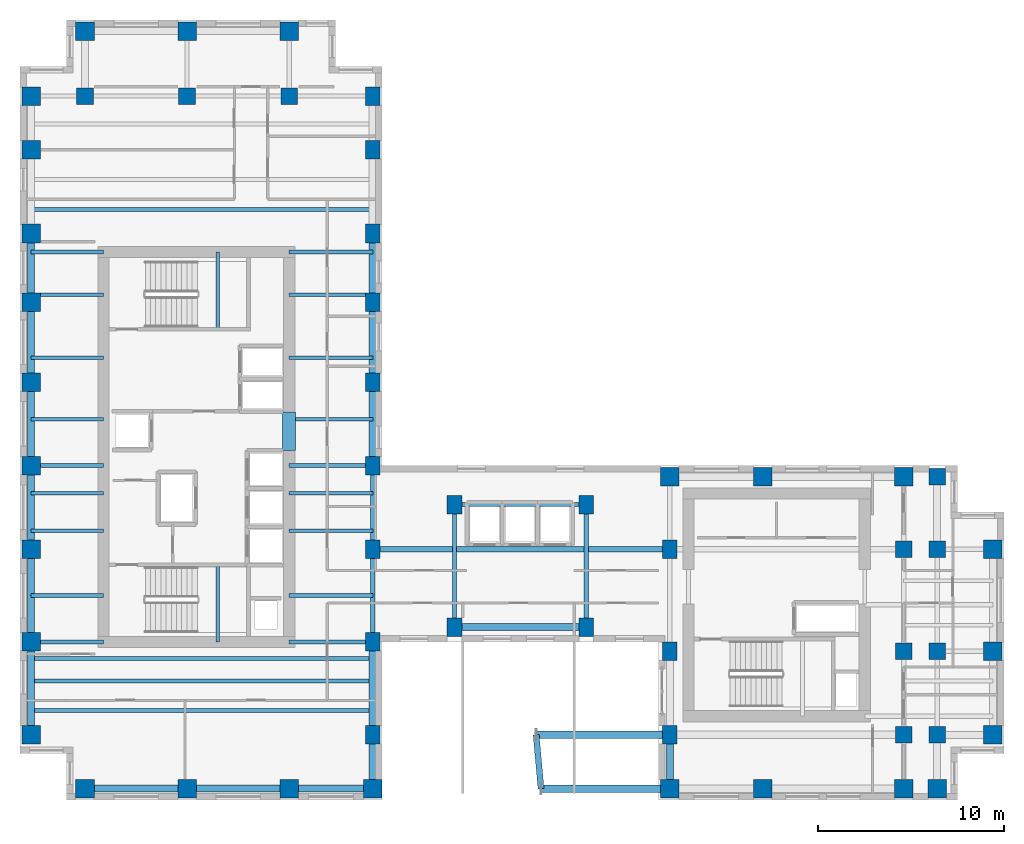
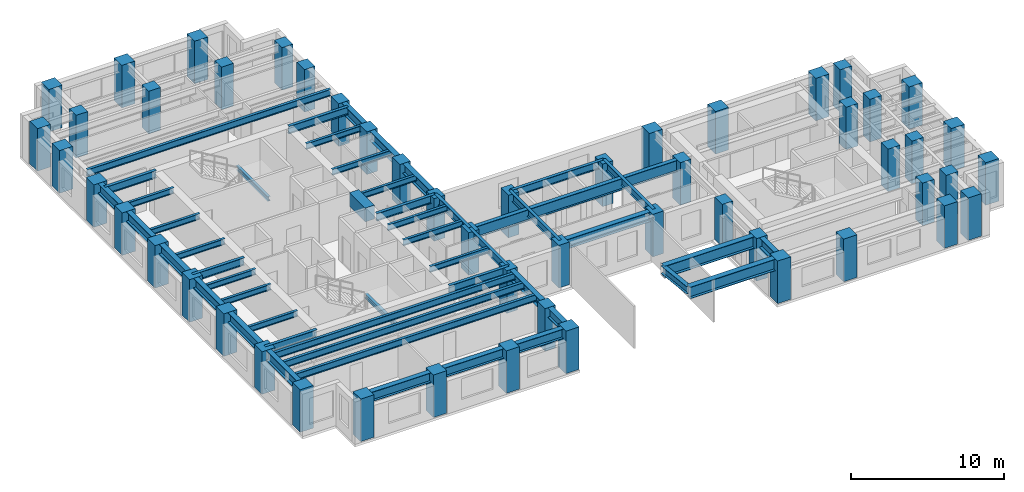
# One storey, part 1 of 13: 52 columns, 50 beams.
"""IFC4 building model written with IfcOpenShell, lengths in metres."""

import ifcopenshell
import ifcopenshell.guid

model = None  # the IFC model being written
_history = None  # IfcOwnerHistory: only IFC2X3 demands one
_inside = {}  # id of a spatial element -> (the spatial element, [elements in it])
_under = {}  # id of a project, library or spatial element -> (it, [spatial elements below it])
_declared = {}  # id of a project -> (the project, [libraries it declares])
_typed = {}  # id of a type object -> (the type object, [elements of that type])
_made_of = {}  # id of a material, layer set ... -> (it, [elements and type objects made of it])


def new_model(schema):
    """Start an empty IFC model of exactly this schema.

    Asked for "IFC4X3", IfcOpenShell would pick the latest addendum, in which some entities
    have other attributes; the version numbers below select the first issue.
    IFC2X3 requires an IfcOwnerHistory on every rooted entity: one is made here for all.
    """
    global model, _history
    if schema == "IFC4X3":
        model = ifcopenshell.file(schema_version=(4, 3, 0, 0))
    else:
        model = ifcopenshell.file(schema=schema)
    _inside.clear()
    _under.clear()
    _declared.clear()
    _typed.clear()
    _made_of.clear()
    _history = None
    if model.schema == "IFC2X3":
        org = make("IfcOrganization", Name="unknown")
        user = make(
            "IfcPersonAndOrganization",
            ThePerson=make("IfcPerson", FamilyName="unknown"),
            TheOrganization=org,
        )
        app = make(
            "IfcApplication",
            ApplicationDeveloper=org,
            Version="unknown",
            ApplicationFullName="unknown",
            ApplicationIdentifier="unknown",
        )
        _history = make(
            "IfcOwnerHistory",
            OwningUser=user,
            OwningApplication=app,
            ChangeAction="ADDED",
            CreationDate=0,
        )
    return model


def make(cls, **values):
    """One entity of the class cls with the attributes given. An attribute that is None is left unset."""
    return model.create_entity(
        cls, **{name: value for name, value in values.items() if value is not None}
    )


def rooted(cls, **values):
    """An entity with a GlobalId (a new one), such as an element, a storey or a relation."""
    return make(cls, GlobalId=ifcopenshell.guid.new(), OwnerHistory=_history, **values)


def si_unit(unit_type, name, prefix=None):
    """IfcSIUnit, for example si_unit("LENGTHUNIT", "METRE", prefix="MILLI")."""
    return make("IfcSIUnit", UnitType=unit_type, Prefix=prefix, Name=name)


def assignment(units):
    """IfcUnitAssignment: the units of a project."""
    return None if units is None else make("IfcUnitAssignment", Units=units)


def point(xyz):
    """IfcCartesianPoint."""
    return None if xyz is None else make("IfcCartesianPoint", Coordinates=xyz)


def direction(xyz):
    """IfcDirection."""
    return None if xyz is None else make("IfcDirection", DirectionRatios=xyz)


def frame(location, z_axis=None, x_axis=None):
    """IfcAxis2Placement3D, a coordinate frame: its origin and axes. An axis left out is left unset."""
    return make(
        "IfcAxis2Placement3D",
        Location=point(location),
        Axis=direction(z_axis),
        RefDirection=direction(x_axis),
    )


def frame_2d(location, x_axis=None):
    """IfcAxis2Placement2D, a coordinate frame in the plane: its origin and x axis."""
    return make(
        "IfcAxis2Placement2D", Location=point(location), RefDirection=direction(x_axis)
    )


def origin():
    """The frame at (0, 0, 0) with its axes left unset."""
    return frame((0.0, 0.0, 0.0))


def origin_2d():
    """The frame at (0, 0) in the plane with its x axis left unset."""
    return frame_2d((0.0, 0.0))


def place(relative_to, where):
    """IfcLocalPlacement: puts the frame where relative to a parent placement (None: the world)."""
    return make(
        "IfcLocalPlacement", PlacementRelTo=relative_to, RelativePlacement=where
    )


def context(
    kind, dimensions, precision=None, world=None, true_north=None, identifier=None
):
    """IfcGeometricRepresentationContext, for example the 3D "Model" context."""
    return make(
        "IfcGeometricRepresentationContext",
        ContextIdentifier=identifier,
        ContextType=kind,
        CoordinateSpaceDimension=dimensions,
        Precision=precision,
        WorldCoordinateSystem=world,
        TrueNorth=true_north,
    )


def subcontext(parent, identifier, kind, view, scale=None):
    """IfcGeometricRepresentationSubContext, for example "Body" below "Model"."""
    return make(
        "IfcGeometricRepresentationSubContext",
        ContextIdentifier=identifier,
        ContextType=kind,
        ParentContext=parent,
        TargetScale=scale,
        TargetView=view,
    )


def project(units=None, contexts=None):
    """IfcProject with its units and contexts."""
    return rooted(
        "IfcProject",
        Name="project",
        RepresentationContexts=contexts,
        UnitsInContext=assignment(units),
    )


def spatial(cls, under=None, at=None, **own):
    """A site, building, storey or space (cls), placed at a placement, below another one or the project."""
    s = rooted(cls, ObjectPlacement=at, **own)
    if under is not None:
        _under.setdefault(under.id(), (under, []))[1].append(s)
    return s


def profile(cls, at=None, kind="AREA", **sizes):
    """A parametric profile (cls). Its sizes go by their IFC names, for example OverallWidth=200.0."""
    return make(cls, ProfileType=kind, Position=at, **sizes)


def rectangle(**sizes):
    """IfcRectangleProfileDef."""
    return profile("IfcRectangleProfileDef", **sizes)


def i_section(**sizes):
    """IfcIShapeProfileDef."""
    return profile("IfcIShapeProfileDef", **sizes)


def extrude(swept, where, along, depth):
    """IfcExtrudedAreaSolid: the profile swept, set in the frame where, extruded along a direction by depth."""
    return make(
        "IfcExtrudedAreaSolid",
        SweptArea=swept,
        Position=where,
        ExtrudedDirection=direction(along),
        Depth=depth,
    )


def shape(context_of_items, identifier, shape_type, items):
    """IfcShapeRepresentation: the items that make up one representation, for example the "Body"."""
    return make(
        "IfcShapeRepresentation",
        ContextOfItems=context_of_items,
        RepresentationIdentifier=identifier,
        RepresentationType=shape_type,
        Items=items,
    )


def source(mapping_origin, context_of_items, identifier, shape_type, items):
    """IfcRepresentationMap: a shape defined once, which mapped items show again and again."""
    return make(
        "IfcRepresentationMap",
        MappingOrigin=mapping_origin,
        MappedRepresentation=shape(context_of_items, identifier, shape_type, items),
    )


def transform(
    local_origin,
    x_axis=None,
    y_axis=None,
    z_axis=None,
    scale=None,
    scale2=None,
    scale3=None,
    uniform=True,
):
    """IfcCartesianTransformationOperator3D, or its non-uniform kind. x_axis, y_axis, z_axis: its Axis1, 2, 3."""
    if uniform:
        return make(
            "IfcCartesianTransformationOperator3D",
            Axis1=direction(x_axis),
            Axis2=direction(y_axis),
            LocalOrigin=point(local_origin),
            Scale=scale,
            Axis3=direction(z_axis),
        )
    return make(
        "IfcCartesianTransformationOperator3DnonUniform",
        Axis1=direction(x_axis),
        Axis2=direction(y_axis),
        LocalOrigin=point(local_origin),
        Scale=scale,
        Axis3=direction(z_axis),
        Scale2=scale2,
        Scale3=scale3,
    )


def mapped(mapping_source, mapping_target):
    """IfcMappedItem: shows the shape of a source again, moved by a transform."""
    return make(
        "IfcMappedItem", MappingSource=mapping_source, MappingTarget=mapping_target
    )


def material(Name=None, Category=None):
    """IfcMaterial."""
    return make("IfcMaterial", Name=Name, Category=Category)


def material_profile(
    of_material, cross_section, Name=None, Category=None, Priority=None
):
    """IfcMaterialProfile: a cross section and its material."""
    return make(
        "IfcMaterialProfile",
        Name=Name,
        Material=of_material,
        Profile=cross_section,
        Priority=Priority,
        Category=Category,
    )


def profile_set(profiles, Name=None, composite=None):
    """IfcMaterialProfileSet."""
    return make(
        "IfcMaterialProfileSet",
        Name=Name,
        MaterialProfiles=profiles,
        CompositeProfile=composite,
    )


def made_of(thing, what):
    """Note that an element or type object is made of a material, layer set ...; save() writes the relation."""
    if what is not None:
        _made_of.setdefault(what.id(), (what, []))[1].append(thing)
    return thing


def type_object(cls, material=None, **own):
    """A type object (cls), such as IfcWallType, which elements share."""
    return made_of(rooted(cls, **own), material)


def element(
    cls,
    number,
    at=None,
    inside=None,
    cuts=None,
    type_object=None,
    material=None,
    context=None,
    identifier="Body",
    shape_type=None,
    held_by="IfcProductDefinitionShape",
    body=None,
    shapes=None,
    **own,
):
    """One element of the class cls, such as IfcWall. Its Tag is "e" and its number.

    at: its placement. inside: the storey or other place that contains it. cuts: it is an
    opening in that element (IfcRelVoidsElement). A single representation is given by context,
    identifier, shape_type and body (its items); several are given by shapes. held_by: the class
    of the entity that holds the representations. save() writes the other relations.
    """
    e = rooted(cls, Tag="e%d" % number, ObjectPlacement=at, **own)
    if body is not None:
        shapes = [shape(context, identifier, shape_type, body)]
    if shapes is not None:
        e.Representation = make(held_by, Representations=shapes)
    if inside is not None:
        _inside.setdefault(inside.id(), (inside, []))[1].append(e)
    if cuts is not None:
        rooted(
            "IfcRelVoidsElement", RelatingBuildingElement=cuts, RelatedOpeningElement=e
        )
    if type_object is not None:
        _typed.setdefault(type_object.id(), (type_object, []))[1].append(e)
    return made_of(e, material)


def aggregate(whole, parts):
    """IfcRelAggregates: a whole, such as a stair, and the parts it consists of."""
    return rooted("IfcRelAggregates", RelatingObject=whole, RelatedObjects=parts)


def save(model, path):
    """Write the relations noted so far, then the file.

    IfcRelAggregates (storeys below a building ...), IfcRelContainedInSpatialStructure (elements
    in a storey), IfcRelDefinesByType, IfcRelAssociatesMaterial and IfcRelDeclares: one each for
    every whole, place, type object, material and project.
    """
    for whole, parts in _under.values():
        aggregate(whole, parts)
    for where, things in _inside.values():
        rooted(
            "IfcRelContainedInSpatialStructure",
            RelatedElements=things,
            RelatingStructure=where,
        )
    for kind, things in _typed.values():
        rooted("IfcRelDefinesByType", RelatedObjects=things, RelatingType=kind)
    for what, things in _made_of.values():
        rooted("IfcRelAssociatesMaterial", RelatedObjects=things, RelatingMaterial=what)
    for by, libraries in _declared.values():
        rooted("IfcRelDeclares", RelatingContext=by, RelatedDefinitions=libraries)
    model.write(path)


model = new_model("IFC4")

# Units and contexts
model_context = context("Model", 3, precision=1e-05, world=origin(), true_north=direction((0.0, 1.0)))
body_context = subcontext(model_context, "Body", "Model", "MODEL_VIEW")
ifc_project = project(units=[si_unit("LENGTHUNIT", "METRE"), si_unit("AREAUNIT", "SQUARE_METRE"), si_unit("VOLUMEUNIT", "CUBIC_METRE"), si_unit("PLANEANGLEUNIT", "RADIAN"), si_unit("MASSUNIT", "GRAM", prefix="KILO")], contexts=[model_context])

# Site, building, storey
site_placement = place(None, origin())
site = spatial("IfcSite", under=ifc_project, at=site_placement, CompositionType="ELEMENT")
building_placement = place(site_placement, origin())
building = spatial("IfcBuilding", under=site, at=building_placement, Name="Kharzan Plaza Tower", CompositionType="ELEMENT")
storey_placement = place(building_placement, frame((0.0, 0.0, 161.10009765625)))
storey = spatial("IfcBuildingStorey", under=building, at=storey_placement, Name="L43", CompositionType="ELEMENT", Elevation=161.10009765625)

# Columns
ifc_material_1 = material(Name="Concrete C50/60", Category="concrete")
ifc_material_profile_1 = material_profile(ifc_material_1, rectangle(XDim=0.89990234375, YDim=0.89990234375, at=origin_2d()), Name="RC-IC900x900")
ifc_profile_set_1 = profile_set([ifc_material_profile_1], Name="Concrete C50/60")
column_type_1 = type_object("IfcColumnType", Name="COL-IC900", PredefinedType="COLUMN", material=ifc_profile_set_1)
shared_shape_1 = source(origin(), body_context, "Body", "SweptSolid", [
    extrude(rectangle(XDim=0.89990234375, YDim=0.89990234375, at=origin_2d()), origin(), (0.0, 0.0, 1.0), 3.39990234375),
])
for number, where, z_axis, x_axis, name in (
    (1, (47.60009765625, 13.5, 0.0), (0.0, 0.0, 1.0), (1.0, 0.0, 0.0), "L43 Structural Column TCBI-135"),
    (2, (47.60009765625, 3.5, 0.0), (0.0, 0.0, 1.0), (1.0, 0.0, 0.0), "L43 Structural Column TCBI-35"),
    (3, (47.60009765625, 8.0, 0.0), (0.0, 0.0, 1.0), (1.0, 0.0, 0.0), "L43 Structural Column TCBI-80"),
    (4, (49.39990234375, 13.5, 0.0), (0.0, 0.0, 1.0), (1.0, 0.0, 0.0), "L43 Structural Column TCE-494-135"),
    (5, (49.39990234375, 17.39990234375, 0.0), (0.0, 0.0, 1.0), (1.0, 0.0, 0.0), "L43 Structural Column TCE-494-174"),
    (6, (49.39990234375, 3.5, 0.0), (0.0, 0.0, 1.0), (1.0, 0.0, 0.0), "L43 Structural Column TCE-494-35"),
    (7, (49.39990234375, 8.0, 0.0), (0.0, 0.0, 1.0), (1.0, 0.0, 0.0), "L43 Structural Column TCE-494-80"),
    (8, (14.5, 37.89990234375, 0.0), (0.0, 0.0, 1.0), (1.0, 0.0, 0.0), "L43 Structural Column TCN-145-379"),
    (9, (3.5, 37.89990234375, 0.0), (0.0, 0.0, 1.0), (1.0, 0.0, 0.0), "L43 Structural Column TCN-35-379"),
    (10, (9.0, 37.89990234375, 0.0), (0.0, 0.0, 1.0), (1.0, 0.0, 0.0), "L43 Structural Column TCN-90-379"),
):
    element("IfcColumn", number, at=place(storey_placement, frame(where, z_axis=z_axis, x_axis=x_axis)), inside=storey, type_object=column_type_1, Name=name, PredefinedType="COLUMN", context=body_context, shape_type="MappedRepresentation", body=[
        mapped(shared_shape_1, transform((0.0, 0.0, 0.0), x_axis=(1.0, 0.0, 0.0), y_axis=(0.0, 1.0, 0.0), z_axis=(0.0, 0.0, 1.0))),
    ])
ifc_material_profile_2 = material_profile(ifc_material_1, rectangle(XDim=0.800048828125, YDim=1.0, at=origin_2d()), Name="RC-SC1000x800")
ifc_profile_set_2 = profile_set([ifc_material_profile_2], Name="Concrete C50/60")
column_type_2 = type_object("IfcColumnType", Name="COL-SC1000", PredefinedType="COLUMN", material=ifc_profile_set_2)
shared_shape_2 = source(origin(), body_context, "Body", "SweptSolid", [
    extrude(rectangle(XDim=0.800048828125, YDim=1.0, at=origin_2d()), origin(), (0.0, 0.0, 1.0), 3.39990234375),
])
for number, where, z_axis, x_axis, name in (
    (11, (19.0, 13.5, 0.0), (0.0, 0.0, 1.0), (1.0, 0.0, 0.0), "L43 Structural Column TCA-135"),
    (12, (19.0, 18.0, 0.0), (0.0, 0.0, 1.0), (1.0, 0.0, 0.0), "L43 Structural Column TCA-180"),
    (13, (19.0, 22.5, 0.0), (0.0, 0.0, 1.0), (1.0, 0.0, 0.0), "L43 Structural Column TCA-225"),
    (14, (19.0, 26.800048828125, 0.0), (0.0, 0.0, 1.0), (1.0, 0.0, 0.0), "L43 Structural Column TCA-268"),
    (15, (19.0, 30.5, 0.0), (0.0, 0.0, 1.0), (1.0, 0.0, 0.0), "L43 Structural Column TCA-305"),
    (16, (19.0, 3.5, 0.0), (0.0, 0.0, 1.0), (1.0, 0.0, 0.0), "L43 Structural Column TCA-35"),
    (17, (19.0, 35.0, 0.0), (0.0, 0.0, 1.0), (1.0, 0.0, 0.0), "L43 Structural Column TCA-350"),
    (18, (19.0, 37.89990234375, 0.0), (0.0, 0.0, 1.0), (1.0, 0.0, 0.0), "L43 Structural Column TCA-379"),
    (19, (19.0, 8.5, 0.0), (0.0, 0.0, 1.0), (1.0, 0.0, 0.0), "L43 Structural Column TCA-85"),
    (20, (35.0, 13.5, 0.0), (0.0, 0.0, 1.0), (1.0, 0.0, 0.0), "L43 Structural Column TCBS-135"),
    (21, (35.0, 3.5, 0.0), (0.0, 0.0, 1.0), (1.0, 0.0, 0.0), "L43 Structural Column TCBS-35"),
    (22, (35.0, 8.0, 0.0), (0.0, 0.0, 1.0), (1.0, 0.0, 0.0), "L43 Structural Column TCBS-80"),
    (23, (23.39990234375, 15.89990234375, 0.0), (0.0, 0.0, 1.0), (1.0, 0.0, 0.0), "L43 Structural Column TCSP-234-159"),
    (24, (23.39990234375, 9.300048828125, 0.0), (0.0, 0.0, 1.0), (1.0, 0.0, 0.0), "L43 Structural Column TCSP-234-93"),
    (25, (30.5, 15.89990234375, 0.0), (0.0, 0.0, 1.0), (1.0, 0.0, 0.0), "L43 Structural Column TCSP-305-159"),
    (26, (30.5, 9.300048828125, 0.0), (0.0, 0.0, 1.0), (1.0, 0.0, 0.0), "L43 Structural Column TCSP-305-93"),
):
    element("IfcColumn", number, at=place(storey_placement, frame(where, z_axis=z_axis, x_axis=x_axis)), inside=storey, type_object=column_type_2, Name=name, PredefinedType="COLUMN", context=body_context, shape_type="MappedRepresentation", body=[
        mapped(shared_shape_2, transform((0.0, 0.0, 0.0), x_axis=(1.0, 0.0, 0.0), y_axis=(0.0, 1.0, 0.0), z_axis=(0.0, 0.0, 1.0))),
    ])
ifc_material_profile_3 = material_profile(ifc_material_1, rectangle(XDim=1.0, YDim=1.0, at=origin_2d()), Name="RC-TC1000x1000")
ifc_profile_set_3 = profile_set([ifc_material_profile_3], Name="Concrete C50/60")
column_type_3 = type_object("IfcColumnType", Name="COL-TC1000", PredefinedType="COLUMN", material=ifc_profile_set_3)
shared_shape_3 = source(origin(), body_context, "Body", "SweptSolid", [
    extrude(rectangle(XDim=1.0, YDim=1.0, at=origin_2d()), origin(), (0.0, 0.0, 1.0), 3.39990234375),
])
for number, where, z_axis, x_axis, name in (
    (27, (35.0, 17.39990234375, 0.0), (0.0, 0.0, 1.0), (1.0, 0.0, 0.0), "L43 Structural Column TCBN-350-174"),
    (28, (40.0, 17.39990234375, 0.0), (0.0, 0.0, 1.0), (1.0, 0.0, 0.0), "L43 Structural Column TCBN-400-174"),
    (29, (47.60009765625, 17.39990234375, 0.0), (0.0, 0.0, 1.0), (1.0, 0.0, 0.0), "L43 Structural Column TCBN-476-174"),
    (30, (52.39990234375, 13.5, 0.0), (0.0, 0.0, 1.0), (1.0, 0.0, 0.0), "L43 Structural Column TCE-524-135"),
    (31, (52.39990234375, 3.5, 0.0), (0.0, 0.0, 1.0), (1.0, 0.0, 0.0), "L43 Structural Column TCE-524-35"),
    (32, (52.39990234375, 8.0, 0.0), (0.0, 0.0, 1.0), (1.0, 0.0, 0.0), "L43 Structural Column TCE-524-80"),
    (33, (14.5, 41.39990234375, 0.0), (0.0, 0.0, 1.0), (1.0, 0.0, 0.0), "L43 Structural Column TCN-145-414"),
    (34, (3.5, 41.39990234375, 0.0), (0.0, 0.0, 1.0), (1.0, 0.0, 0.0), "L43 Structural Column TCN-35-414"),
    (35, (9.0, 41.39990234375, 0.0), (0.0, 0.0, 1.0), (1.0, 0.0, 0.0), "L43 Structural Column TCN-90-414"),
    (36, (14.5, 0.60009765625, 0.0), (0.0, 0.0, 1.0), (1.0, 0.0, 0.0), "L43 Structural Column TCS-145"),
    (37, (19.0, 0.60009765625, 0.0), (0.0, 0.0, 1.0), (1.0, 0.0, 0.0), "L43 Structural Column TCS-190"),
    (38, (3.5, 0.60009765625, 0.0), (0.0, 0.0, 1.0), (1.0, 0.0, 0.0), "L43 Structural Column TCS-35"),
    (39, (35.0, 0.60009765625, 0.0), (0.0, 0.0, 1.0), (1.0, 0.0, 0.0), "L43 Structural Column TCS-350"),
    (40, (40.0, 0.60009765625, 0.0), (0.0, 0.0, 1.0), (1.0, 0.0, 0.0), "L43 Structural Column TCS-400"),
    (41, (47.60009765625, 0.60009765625, 0.0), (0.0, 0.0, 1.0), (1.0, 0.0, 0.0), "L43 Structural Column TCS-476"),
    (42, (49.39990234375, 0.60009765625, 0.0), (0.0, 0.0, 1.0), (1.0, 0.0, 0.0), "L43 Structural Column TCS-494"),
    (43, (9.0, 0.60009765625, 0.0), (0.0, 0.0, 1.0), (1.0, 0.0, 0.0), "L43 Structural Column TCS-90"),
    (44, (0.60009765625, 13.5, 0.0), (0.0, 0.0, 1.0), (1.0, 0.0, 0.0), "L43 Structural Column TCW-135"),
    (45, (0.60009765625, 18.0, 0.0), (0.0, 0.0, 1.0), (1.0, 0.0, 0.0), "L43 Structural Column TCW-180"),
    (46, (0.60009765625, 22.5, 0.0), (0.0, 0.0, 1.0), (1.0, 0.0, 0.0), "L43 Structural Column TCW-225"),
    (47, (0.60009765625, 26.800048828125, 0.0), (0.0, 0.0, 1.0), (1.0, 0.0, 0.0), "L43 Structural Column TCW-268"),
    (48, (0.60009765625, 30.5, 0.0), (0.0, 0.0, 1.0), (1.0, 0.0, 0.0), "L43 Structural Column TCW-305"),
    (49, (0.60009765625, 3.5, 0.0), (0.0, 0.0, 1.0), (1.0, 0.0, 0.0), "L43 Structural Column TCW-35"),
    (50, (0.60009765625, 35.0, 0.0), (0.0, 0.0, 1.0), (1.0, 0.0, 0.0), "L43 Structural Column TCW-350"),
    (51, (0.60009765625, 37.89990234375, 0.0), (0.0, 0.0, 1.0), (1.0, 0.0, 0.0), "L43 Structural Column TCW-379"),
    (52, (0.60009765625, 8.5, 0.0), (0.0, 0.0, 1.0), (1.0, 0.0, 0.0), "L43 Structural Column TCW-85"),
):
    element("IfcColumn", number, at=place(storey_placement, frame(where, z_axis=z_axis, x_axis=x_axis)), inside=storey, type_object=column_type_3, Name=name, PredefinedType="COLUMN", context=body_context, shape_type="MappedRepresentation", body=[
        mapped(shared_shape_3, transform((0.0, 0.0, 0.0), x_axis=(1.0, 0.0, 0.0), y_axis=(0.0, 1.0, 0.0), z_axis=(0.0, 0.0, 1.0))),
    ])

# Beams
ifc_material_2 = material(Name="Concrete C60/75", Category="concrete")
ifc_material_profile_4 = material_profile(ifc_material_2, rectangle(XDim=0.699951171875, YDim=1.10009765625, at=origin_2d()), Name="RC-CB1100x700")
ifc_profile_set_4 = profile_set([ifc_material_profile_4], Name="Concrete C60/75")
beam_type_1 = type_object("IfcBeamType", Name="BM-RCCB1100", PredefinedType="LINTEL", material=ifc_profile_set_4)
shared_shape_4 = source(origin(), body_context, "Body", "SweptSolid", [
    extrude(rectangle(XDim=0.699951171875, YDim=1.10009765625, at=origin_2d()), origin(), (0.0, 0.0, 1.0), 2.059814453125),
])
beam_1_placement = place(storey_placement, frame((14.5, 18.820068359375, 2.849853515625), z_axis=(0.0, 1.0, 0.0), x_axis=(-1.0, 0.0, 0.0)))
element("IfcBeam", 53, at=beam_1_placement, inside=storey, type_object=beam_type_1, Name="L43 CORE-A RC coupling beam CB1", PredefinedType="LINTEL", context=body_context, shape_type="MappedRepresentation", body=[
    mapped(shared_shape_4, transform((0.0, 0.0, 0.0), x_axis=(1.0, 0.0, 0.0), y_axis=(0.0, 1.0, 0.0), z_axis=(0.0, 0.0, 1.0))),
])
ifc_material_3 = material(Name="Steel S355", Category="steel")
ifc_material_profile_5 = material_profile(ifc_material_3, i_section(OverallWidth=0.205078125, OverallDepth=0.35400390625, WebThickness=0.009521484375, FlangeThickness=0.016845703125, at=origin_2d()), Name="W360x79")
ifc_profile_set_5 = profile_set([ifc_material_profile_5], Name="Steel S355")
beam_type_2 = type_object("IfcBeamType", Name="BM-LNT360", PredefinedType="LINTEL", material=ifc_profile_set_5)
shared_shape_5 = source(origin(), body_context, "Body", "SweptSolid", [
    extrude(i_section(OverallWidth=0.205078125, OverallDepth=0.35400390625, WebThickness=0.009521484375, FlangeThickness=0.016845703125, at=origin_2d()), origin(), (0.0, 0.0, 1.0), 4.155029296875),
])
for number, where, z_axis, x_axis, name in (
    (54, (10.64990234375, 8.5, 1.4228515625), (0.0, 1.0, 0.0), (-1.0, 0.0, 0.0), "L43 Stair ST-1 Half-Landing Beam"),
    (55, (10.64990234375, 25.344970703125, 1.4228515625), (0.0, 1.0, 0.0), (-1.0, 0.0, 0.0), "L43 Stair ST-2 Half-Landing Beam"),
):
    element("IfcBeam", number, at=place(storey_placement, frame(where, z_axis=z_axis, x_axis=x_axis)), inside=storey, type_object=beam_type_2, Name=name, PredefinedType="LINTEL", context=body_context, shape_type="MappedRepresentation", body=[
        mapped(shared_shape_5, transform((0.0, 0.0, 0.0), x_axis=(1.0, 0.0, 0.0), y_axis=(0.0, 1.0, 0.0), z_axis=(0.0, 0.0, 1.0))),
    ])
ifc_material_profile_6 = material_profile(ifc_material_3, i_section(OverallWidth=0.304931640625, OverallDepth=0.9189453125, WebThickness=0.017333984375, FlangeThickness=0.02783203125, at=origin_2d()), Name="W920x253")
ifc_profile_set_6 = profile_set([ifc_material_profile_6], Name="Steel S355")
beam_type_3 = type_object("IfcBeamType", Name="BM-FG920B", PredefinedType="BEAM", material=ifc_profile_set_6)
shared_shape_6 = source(origin(), body_context, "Body", "SweptSolid", [
    extrude(i_section(OverallWidth=0.304931640625, OverallDepth=0.9189453125, WebThickness=0.017333984375, FlangeThickness=0.02783203125, at=origin_2d()), origin(), (0.0, 0.0, 1.0), 16.0),
])
beam_2_placement = place(storey_placement, frame((19.0, 13.5, 2.9404296875), z_axis=(1.0, 0.0, 0.0), x_axis=(0.0, 1.0, 0.0)))
element("IfcBeam", 56, at=beam_2_placement, inside=storey, type_object=beam_type_3, Name="L43 Primary Floor Girder", PredefinedType="BEAM", context=body_context, shape_type="MappedRepresentation", body=[
    mapped(shared_shape_6, transform((0.0, 0.0, 0.0), x_axis=(1.0, 0.0, 0.0), y_axis=(0.0, 1.0, 0.0), z_axis=(0.0, 0.0, 1.0))),
])
ifc_material_profile_7 = material_profile(ifc_material_3, i_section(OverallWidth=0.2099609375, OverallDepth=0.537109375, WebThickness=0.010986328125, FlangeThickness=0.017333984375, at=origin_2d()), Name="W530x101")
ifc_profile_set_7 = profile_set([ifc_material_profile_7], Name="Steel S355")
beam_type_4 = type_object("IfcBeamType", Name="BM-JST530B", PredefinedType="JOIST", material=ifc_profile_set_7)
shared_shape_7 = source(origin(), body_context, "Body", "SweptSolid", [
    extrude(i_section(OverallWidth=0.2099609375, OverallDepth=0.537109375, WebThickness=0.010986328125, FlangeThickness=0.017333984375, at=origin_2d()), origin(), (0.0, 0.0, 1.0), 18.39990234375),
])
for number, where, z_axis, x_axis, name in (
    (57, (0.60009765625, 4.800048828125, 3.13134765625), (1.0, 0.0, 0.0), (0.0, 1.0, 0.0), "L43 Wing A Composite Joist 01"),
    (58, (0.60009765625, 6.39990234375, 3.13134765625), (1.0, 0.0, 0.0), (0.0, 1.0, 0.0), "L43 Wing A Composite Joist 02"),
    (59, (0.60009765625, 7.60009765625, 3.13134765625), (1.0, 0.0, 0.0), (0.0, 1.0, 0.0), "L43 Wing A Composite Joist 03"),
    (60, (0.60009765625, 31.800048828125, 3.13134765625), (1.0, 0.0, 0.0), (0.0, 1.0, 0.0), "L43 Wing A Composite Joist 04"),
):
    element("IfcBeam", number, at=place(storey_placement, frame(where, z_axis=z_axis, x_axis=x_axis)), inside=storey, type_object=beam_type_4, Name=name, PredefinedType="JOIST", context=body_context, shape_type="MappedRepresentation", body=[
        mapped(shared_shape_7, transform((0.0, 0.0, 0.0), x_axis=(1.0, 0.0, 0.0), y_axis=(0.0, 1.0, 0.0), z_axis=(0.0, 0.0, 1.0))),
    ])
ifc_material_profile_8 = material_profile(ifc_material_3, i_section(OverallWidth=0.194091796875, OverallDepth=0.468994140625, WebThickness=0.011474609375, FlangeThickness=0.0205078125, at=origin_2d()), Name="W460x106")
ifc_profile_set_8 = profile_set([ifc_material_profile_8], Name="Steel S355")
beam_type_5 = type_object("IfcBeamType", Name="BM-JST460", PredefinedType="JOIST", material=ifc_profile_set_8)
shared_shape_8 = source(origin(), body_context, "Body", "SweptSolid", [
    extrude(i_section(OverallWidth=0.194091796875, OverallDepth=0.468994140625, WebThickness=0.011474609375, FlangeThickness=0.0205078125, at=origin_2d()), origin(), (0.0, 0.0, 1.0), 4.5),
])
for number, where, z_axis, x_axis, name in (
    (61, (14.5, 11.0, 3.165283203125), (1.0, 0.0, 0.0), (0.0, 1.0, 0.0), "L43 Wing A East Infill Joist 1"),
    (62, (14.5, 14.5, 3.165283203125), (1.0, 0.0, 0.0), (0.0, 1.0, 0.0), "L43 Wing A East Infill Joist 2"),
    (63, (14.5, 16.5, 3.165283203125), (1.0, 0.0, 0.0), (0.0, 1.0, 0.0), "L43 Wing A East Infill Joist 3"),
    (64, (14.5, 20.5, 3.165283203125), (1.0, 0.0, 0.0), (0.0, 1.0, 0.0), "L43 Wing A East Infill Joist 4"),
    (65, (14.5, 23.800048828125, 3.165283203125), (1.0, 0.0, 0.0), (0.0, 1.0, 0.0), "L43 Wing A East Infill Joist 5"),
    (66, (14.5, 27.199951171875, 3.165283203125), (1.0, 0.0, 0.0), (0.0, 1.0, 0.0), "L43 Wing A East Infill Joist 6"),
):
    element("IfcBeam", number, at=place(storey_placement, frame(where, z_axis=z_axis, x_axis=x_axis)), inside=storey, type_object=beam_type_5, Name=name, PredefinedType="JOIST", context=body_context, shape_type="MappedRepresentation", body=[
        mapped(shared_shape_8, transform((0.0, 0.0, 0.0), x_axis=(1.0, 0.0, 0.0), y_axis=(0.0, 1.0, 0.0), z_axis=(0.0, 0.0, 1.0))),
    ])
shared_shape_9 = source(origin(), body_context, "Body", "SweptSolid", [
    extrude(i_section(OverallWidth=0.194091796875, OverallDepth=0.468994140625, WebThickness=0.011474609375, FlangeThickness=0.0205078125, at=origin_2d()), origin(), (0.0, 0.0, 1.0), 3.89990234375),
])
for number, where, z_axis, x_axis, name in (
    (67, (0.60009765625, 11.0, 3.165283203125), (1.0, 0.0, 0.0), (0.0, 1.0, 0.0), "L43 Wing A West Infill Joist 1"),
    (68, (0.60009765625, 14.5, 3.165283203125), (1.0, 0.0, 0.0), (0.0, 1.0, 0.0), "L43 Wing A West Infill Joist 2"),
    (69, (0.60009765625, 16.5, 3.165283203125), (1.0, 0.0, 0.0), (0.0, 1.0, 0.0), "L43 Wing A West Infill Joist 3"),
    (70, (0.60009765625, 20.5, 3.165283203125), (1.0, 0.0, 0.0), (0.0, 1.0, 0.0), "L43 Wing A West Infill Joist 4"),
    (71, (0.60009765625, 23.800048828125, 3.165283203125), (1.0, 0.0, 0.0), (0.0, 1.0, 0.0), "L43 Wing A West Infill Joist 5"),
    (72, (0.60009765625, 27.199951171875, 3.165283203125), (1.0, 0.0, 0.0), (0.0, 1.0, 0.0), "L43 Wing A West Infill Joist 6"),
):
    element("IfcBeam", number, at=place(storey_placement, frame(where, z_axis=z_axis, x_axis=x_axis)), inside=storey, type_object=beam_type_5, Name=name, PredefinedType="JOIST", context=body_context, shape_type="MappedRepresentation", body=[
        mapped(shared_shape_9, transform((0.0, 0.0, 0.0), x_axis=(1.0, 0.0, 0.0), y_axis=(0.0, 1.0, 0.0), z_axis=(0.0, 0.0, 1.0))),
    ])
ifc_material_profile_9 = material_profile(ifc_material_3, i_section(OverallWidth=0.41796875, OverallDepth=0.93701171875, WebThickness=0.019287109375, FlangeThickness=0.031982421875, at=origin_2d()), Name="W920x342")
ifc_profile_set_9 = profile_set([ifc_material_profile_9], Name="Steel S355")
beam_type_6 = type_object("IfcBeamType", Name="BM-ZTG920", PredefinedType="BEAM", material=ifc_profile_set_9)
shared_shape_10 = source(origin(), body_context, "Body", "SweptSolid", [
    extrude(i_section(OverallWidth=0.41796875, OverallDepth=0.93701171875, WebThickness=0.019287109375, FlangeThickness=0.031982421875, at=origin_2d()), origin(), (0.0, 0.0, 1.0), 7.199951171875),
])
beam_3_placement = place(storey_placement, frame((35.0, 3.5, 2.91650390625), z_axis=(-1.0, 0.0, 0.0), x_axis=(0.0, -1.0, 0.0)))
element("IfcBeam", 73, at=beam_3_placement, inside=storey, type_object=beam_type_6, Name="L43 Sky-Terrace Cantilever Girder ZTG1 (L44 G2)", PredefinedType="BEAM", context=body_context, shape_type="MappedRepresentation", body=[
    mapped(shared_shape_10, transform((0.0, 0.0, 0.0), x_axis=(1.0, 0.0, 0.0), y_axis=(0.0, 1.0, 0.0), z_axis=(0.0, 0.0, 1.0))),
])
shared_shape_11 = source(origin(), body_context, "Body", "SweptSolid", [
    extrude(i_section(OverallWidth=0.41796875, OverallDepth=0.93701171875, WebThickness=0.019287109375, FlangeThickness=0.031982421875, at=origin_2d()), origin(), (0.0, 0.0, 1.0), 6.93603515625),
])
beam_4_placement = place(storey_placement, frame((35.0, 0.60009765625, 2.91650390625), z_axis=(-1.0, 0.0, 0.0), x_axis=(0.0, -1.0, 0.0)))
element("IfcBeam", 74, at=beam_4_placement, inside=storey, type_object=beam_type_6, Name="L43 Sky-Terrace Cantilever Girder ZTG1 (L44 G1)", PredefinedType="BEAM", context=body_context, shape_type="MappedRepresentation", body=[
    mapped(shared_shape_11, transform((0.0, 0.0, 0.0), x_axis=(1.0, 0.0, 0.0), y_axis=(0.0, 1.0, 0.0), z_axis=(0.0, 0.0, 1.0))),
])
ifc_material_profile_10 = material_profile(ifc_material_3, i_section(OverallWidth=0.324951171875, OverallDepth=0.615966796875, WebThickness=0.013916015625, FlangeThickness=0.021484375, at=origin_2d()), Name="W610x174")
ifc_profile_set_10 = profile_set([ifc_material_profile_10], Name="Steel S355")
beam_type_7 = type_object("IfcBeamType", Name="BM-ZTT610", PredefinedType="BEAM", material=ifc_profile_set_10)
shared_shape_12 = source(origin(), body_context, "Body", "SweptSolid", [
    extrude(i_section(OverallWidth=0.324951171875, OverallDepth=0.615966796875, WebThickness=0.013916015625, FlangeThickness=0.021484375, at=origin_2d()), origin(), (0.0, 0.0, 1.0), 2.911865234375),
])
beam_5_placement = place(storey_placement, frame((28.06396484375, 0.60009765625, 3.076904296875), z_axis=(-0.090634020309, 0.995884267555, 0.0), x_axis=(-0.995884267555, -0.090634020309, 0.0)))
element("IfcBeam", 75, at=beam_5_placement, inside=storey, type_object=beam_type_7, Name="L43 Sky-Terrace Edge Trimmer Beam ZTT1 (L44)", PredefinedType="BEAM", context=body_context, shape_type="MappedRepresentation", body=[
    mapped(shared_shape_12, transform((0.0, 0.0, 0.0), x_axis=(1.0, 0.0, 0.0), y_axis=(0.0, 1.0, 0.0), z_axis=(0.0, 0.0, 1.0))),
])
ifc_material_profile_11 = material_profile(ifc_material_3, i_section(OverallWidth=0.22900390625, OverallDepth=0.612060546875, WebThickness=0.011962890625, FlangeThickness=0.01953125, at=origin_2d()), Name="W610x125")
ifc_profile_set_11 = profile_set([ifc_material_profile_11], Name="Steel S355")
beam_type_8 = type_object("IfcBeamType", Name="BM-FG610B", PredefinedType="BEAM", material=ifc_profile_set_11)
shared_shape_13 = source(origin(), body_context, "Body", "SweptSolid", [
    extrude(i_section(OverallWidth=0.22900390625, OverallDepth=0.612060546875, WebThickness=0.011962890625, FlangeThickness=0.01953125, at=origin_2d()), origin(), (0.0, 0.0, 1.0), 4.5),
])
for number, where, z_axis, x_axis, name in (
    (76, (14.5, 8.5, 3.093994140625), (1.0, 0.0, 0.0), (0.0, 1.0, 0.0), "L43 Core-A East Floor Girder 1"),
    (77, (14.5, 18.0, 3.093994140625), (1.0, 0.0, 0.0), (0.0, 1.0, 0.0), "L43 Core-A East Floor Girder 2"),
    (78, (14.5, 29.5, 3.093994140625), (1.0, 0.0, 0.0), (0.0, 1.0, 0.0), "L43 Core-A East Floor Girder 3"),
    (79, (19.0, 13.5, 3.093994140625), (0.0, 1.0, 0.0), (-1.0, 0.0, 0.0), "L43 Interior Frame Girder"),
):
    element("IfcBeam", number, at=place(storey_placement, frame(where, z_axis=z_axis, x_axis=x_axis)), inside=storey, type_object=beam_type_8, Name=name, PredefinedType="BEAM", context=body_context, shape_type="MappedRepresentation", body=[
        mapped(shared_shape_13, transform((0.0, 0.0, 0.0), x_axis=(1.0, 0.0, 0.0), y_axis=(0.0, 1.0, 0.0), z_axis=(0.0, 0.0, 1.0))),
    ])
shared_shape_14 = source(origin(), body_context, "Body", "SweptSolid", [
    extrude(i_section(OverallWidth=0.22900390625, OverallDepth=0.612060546875, WebThickness=0.011962890625, FlangeThickness=0.01953125, at=origin_2d()), origin(), (0.0, 0.0, 1.0), 3.89990234375),
])
for number, where, z_axis, x_axis, name in (
    (80, (0.60009765625, 8.5, 3.093994140625), (1.0, 0.0, 0.0), (0.0, 1.0, 0.0), "L43 Core-A West Floor Girder 1"),
    (81, (0.60009765625, 18.0, 3.093994140625), (1.0, 0.0, 0.0), (0.0, 1.0, 0.0), "L43 Core-A West Floor Girder 2"),
    (82, (0.60009765625, 29.5, 3.093994140625), (1.0, 0.0, 0.0), (0.0, 1.0, 0.0), "L43 Core-A West Floor Girder 3"),
):
    element("IfcBeam", number, at=place(storey_placement, frame(where, z_axis=z_axis, x_axis=x_axis)), inside=storey, type_object=beam_type_8, Name=name, PredefinedType="BEAM", context=body_context, shape_type="MappedRepresentation", body=[
        mapped(shared_shape_14, transform((0.0, 0.0, 0.0), x_axis=(1.0, 0.0, 0.0), y_axis=(0.0, 1.0, 0.0), z_axis=(0.0, 0.0, 1.0))),
    ])
shared_shape_15 = source(origin(), body_context, "Body", "SweptSolid", [
    extrude(i_section(OverallWidth=0.22900390625, OverallDepth=0.612060546875, WebThickness=0.011962890625, FlangeThickness=0.01953125, at=origin_2d()), origin(), (0.0, 0.0, 1.0), 5.0),
])
beam_6_placement = place(storey_placement, frame((19.0, 8.5, 3.093994140625), z_axis=(0.0, 1.0, 0.0), x_axis=(-1.0, 0.0, 0.0)))
element("IfcBeam", 83, at=beam_6_placement, inside=storey, type_object=beam_type_8, Name="L43 Interior Frame Girder", PredefinedType="BEAM", context=body_context, shape_type="MappedRepresentation", body=[
    mapped(shared_shape_15, transform((0.0, 0.0, 0.0), x_axis=(1.0, 0.0, 0.0), y_axis=(0.0, 1.0, 0.0), z_axis=(0.0, 0.0, 1.0))),
])
shared_shape_16 = source(origin(), body_context, "Body", "SweptSolid", [
    extrude(i_section(OverallWidth=0.22900390625, OverallDepth=0.612060546875, WebThickness=0.011962890625, FlangeThickness=0.01953125, at=origin_2d()), origin(), (0.0, 0.0, 1.0), 6.599853515625),
])
for number, where, z_axis, x_axis, name in (
    (84, (23.39990234375, 9.300048828125, 3.093994140625), (0.0, 1.0, 0.0), (-1.0, 0.0, 0.0), "L43 Interior Frame Girder"),
    (85, (30.5, 9.300048828125, 3.093994140625), (0.0, 1.0, 0.0), (-1.0, 0.0, 0.0), "L43 Interior Frame Girder"),
):
    element("IfcBeam", number, at=place(storey_placement, frame(where, z_axis=z_axis, x_axis=x_axis)), inside=storey, type_object=beam_type_8, Name=name, PredefinedType="BEAM", context=body_context, shape_type="MappedRepresentation", body=[
        mapped(shared_shape_16, transform((0.0, 0.0, 0.0), x_axis=(1.0, 0.0, 0.0), y_axis=(0.0, 1.0, 0.0), z_axis=(0.0, 0.0, 1.0))),
    ])
shared_shape_17 = source(origin(), body_context, "Body", "SweptSolid", [
    extrude(i_section(OverallWidth=0.22900390625, OverallDepth=0.612060546875, WebThickness=0.011962890625, FlangeThickness=0.01953125, at=origin_2d()), origin(), (0.0, 0.0, 1.0), 7.10009765625),
])
beam_7_placement = place(storey_placement, frame((23.39990234375, 15.89990234375, 3.093994140625), z_axis=(1.0, 0.0, 0.0), x_axis=(0.0, 1.0, 0.0)))
element("IfcBeam", 86, at=beam_7_placement, inside=storey, type_object=beam_type_8, Name="L43 Primary Floor Girder", PredefinedType="BEAM", context=body_context, shape_type="MappedRepresentation", body=[
    mapped(shared_shape_17, transform((0.0, 0.0, 0.0), x_axis=(1.0, 0.0, 0.0), y_axis=(0.0, 1.0, 0.0), z_axis=(0.0, 0.0, 1.0))),
])
ifc_material_profile_12 = material_profile(ifc_material_3, i_section(OverallWidth=0.381103515625, OverallDepth=0.77294921875, WebThickness=0.0166015625, FlangeThickness=0.027587890625, at=origin_2d()), Name="W760x257")
ifc_profile_set_12 = profile_set([ifc_material_profile_12], Name="Steel S355")
beam_type_9 = type_object("IfcBeamType", Name="BM-SP760A", PredefinedType="SPANDREL", material=ifc_profile_set_12)
shared_shape_18 = source(origin(), body_context, "Body", "SweptSolid", [
    extrude(i_section(OverallWidth=0.381103515625, OverallDepth=0.77294921875, WebThickness=0.0166015625, FlangeThickness=0.027587890625, at=origin_2d()), origin(), (0.0, 0.0, 1.0), 5.0),
])
for number, where, z_axis, x_axis, name in (
    (87, (0.60009765625, 3.5, 3.013427734375), (0.0, 1.0, 0.0), (-1.0, 0.0, 0.0), "L43 Perimeter Tube Spandrel"),
    (88, (0.60009765625, 8.5, 3.013427734375), (0.0, 1.0, 0.0), (-1.0, 0.0, 0.0), "L43 Perimeter Tube Spandrel"),
    (89, (19.0, 3.5, 3.013427734375), (0.0, 1.0, 0.0), (-1.0, 0.0, 0.0), "L43 Perimeter Tube Spandrel"),
):
    element("IfcBeam", number, at=place(storey_placement, frame(where, z_axis=z_axis, x_axis=x_axis)), inside=storey, type_object=beam_type_9, Name=name, PredefinedType="SPANDREL", context=body_context, shape_type="MappedRepresentation", body=[
        mapped(shared_shape_18, transform((0.0, 0.0, 0.0), x_axis=(1.0, 0.0, 0.0), y_axis=(0.0, 1.0, 0.0), z_axis=(0.0, 0.0, 1.0))),
    ])
shared_shape_19 = source(origin(), body_context, "Body", "SweptSolid", [
    extrude(i_section(OverallWidth=0.381103515625, OverallDepth=0.77294921875, WebThickness=0.0166015625, FlangeThickness=0.027587890625, at=origin_2d()), origin(), (0.0, 0.0, 1.0), 4.5),
])
for number, where, z_axis, x_axis, name in (
    (90, (0.60009765625, 13.5, 3.013427734375), (0.0, 1.0, 0.0), (-1.0, 0.0, 0.0), "L43 Perimeter Tube Spandrel"),
    (91, (0.60009765625, 18.0, 3.013427734375), (0.0, 1.0, 0.0), (-1.0, 0.0, 0.0), "L43 Perimeter Tube Spandrel"),
    (92, (19.0, 18.0, 3.013427734375), (0.0, 1.0, 0.0), (-1.0, 0.0, 0.0), "L43 Perimeter Tube Spandrel"),
    (93, (14.5, 0.60009765625, 3.013427734375), (1.0, 0.0, 0.0), (0.0, 1.0, 0.0), "L43 Perimeter Tube Spandrel"),
):
    element("IfcBeam", number, at=place(storey_placement, frame(where, z_axis=z_axis, x_axis=x_axis)), inside=storey, type_object=beam_type_9, Name=name, PredefinedType="SPANDREL", context=body_context, shape_type="MappedRepresentation", body=[
        mapped(shared_shape_19, transform((0.0, 0.0, 0.0), x_axis=(1.0, 0.0, 0.0), y_axis=(0.0, 1.0, 0.0), z_axis=(0.0, 0.0, 1.0))),
    ])
shared_shape_20 = source(origin(), body_context, "Body", "SweptSolid", [
    extrude(i_section(OverallWidth=0.381103515625, OverallDepth=0.77294921875, WebThickness=0.0166015625, FlangeThickness=0.027587890625, at=origin_2d()), origin(), (0.0, 0.0, 1.0), 4.300048828125),
])
for number, where, z_axis, x_axis, name in (
    (94, (0.60009765625, 22.5, 3.013427734375), (0.0, 1.0, 0.0), (-1.0, 0.0, 0.0), "L43 Perimeter Tube Spandrel"),
    (95, (19.0, 22.5, 3.013427734375), (0.0, 1.0, 0.0), (-1.0, 0.0, 0.0), "L43 Perimeter Tube Spandrel"),
):
    element("IfcBeam", number, at=place(storey_placement, frame(where, z_axis=z_axis, x_axis=x_axis)), inside=storey, type_object=beam_type_9, Name=name, PredefinedType="SPANDREL", context=body_context, shape_type="MappedRepresentation", body=[
        mapped(shared_shape_20, transform((0.0, 0.0, 0.0), x_axis=(1.0, 0.0, 0.0), y_axis=(0.0, 1.0, 0.0), z_axis=(0.0, 0.0, 1.0))),
    ])
shared_shape_21 = source(origin(), body_context, "Body", "SweptSolid", [
    extrude(i_section(OverallWidth=0.381103515625, OverallDepth=0.77294921875, WebThickness=0.0166015625, FlangeThickness=0.027587890625, at=origin_2d()), origin(), (0.0, 0.0, 1.0), 3.699951171875),
])
for number, where, z_axis, x_axis, name in (
    (96, (0.60009765625, 26.800048828125, 3.013427734375), (0.0, 1.0, 0.0), (-1.0, 0.0, 0.0), "L43 Perimeter Tube Spandrel"),
    (97, (19.0, 26.800048828125, 3.013427734375), (0.0, 1.0, 0.0), (-1.0, 0.0, 0.0), "L43 Perimeter Tube Spandrel"),
):
    element("IfcBeam", number, at=place(storey_placement, frame(where, z_axis=z_axis, x_axis=x_axis)), inside=storey, type_object=beam_type_9, Name=name, PredefinedType="SPANDREL", context=body_context, shape_type="MappedRepresentation", body=[
        mapped(shared_shape_21, transform((0.0, 0.0, 0.0), x_axis=(1.0, 0.0, 0.0), y_axis=(0.0, 1.0, 0.0), z_axis=(0.0, 0.0, 1.0))),
    ])
shared_shape_22 = source(origin(), body_context, "Body", "SweptSolid", [
    extrude(i_section(OverallWidth=0.381103515625, OverallDepth=0.77294921875, WebThickness=0.0166015625, FlangeThickness=0.027587890625, at=origin_2d()), origin(), (0.0, 0.0, 1.0), 2.89990234375),
])
for number, where, z_axis, x_axis, name in (
    (98, (19.0, 0.60009765625, 3.013427734375), (0.0, 1.0, 0.0), (-1.0, 0.0, 0.0), "L43 Perimeter Tube Spandrel"),
    (99, (35.0, 0.60009765625, 3.013427734375), (0.0, 1.0, 0.0), (-1.0, 0.0, 0.0), "L43 Perimeter Tube Spandrel"),
):
    element("IfcBeam", number, at=place(storey_placement, frame(where, z_axis=z_axis, x_axis=x_axis)), inside=storey, type_object=beam_type_9, Name=name, PredefinedType="SPANDREL", context=body_context, shape_type="MappedRepresentation", body=[
        mapped(shared_shape_22, transform((0.0, 0.0, 0.0), x_axis=(1.0, 0.0, 0.0), y_axis=(0.0, 1.0, 0.0), z_axis=(0.0, 0.0, 1.0))),
    ])
shared_shape_23 = source(origin(), body_context, "Body", "SweptSolid", [
    extrude(i_section(OverallWidth=0.381103515625, OverallDepth=0.77294921875, WebThickness=0.0166015625, FlangeThickness=0.027587890625, at=origin_2d()), origin(), (0.0, 0.0, 1.0), 5.5),
])
for number, where, z_axis, x_axis, name in (
    (100, (3.5, 0.60009765625, 3.013427734375), (1.0, 0.0, 0.0), (0.0, 1.0, 0.0), "L43 Perimeter Tube Spandrel"),
    (101, (9.0, 0.60009765625, 3.013427734375), (1.0, 0.0, 0.0), (0.0, 1.0, 0.0), "L43 Perimeter Tube Spandrel"),
):
    element("IfcBeam", number, at=place(storey_placement, frame(where, z_axis=z_axis, x_axis=x_axis)), inside=storey, type_object=beam_type_9, Name=name, PredefinedType="SPANDREL", context=body_context, shape_type="MappedRepresentation", body=[
        mapped(shared_shape_23, transform((0.0, 0.0, 0.0), x_axis=(1.0, 0.0, 0.0), y_axis=(0.0, 1.0, 0.0), z_axis=(0.0, 0.0, 1.0))),
    ])
shared_shape_24 = source(origin(), body_context, "Body", "SweptSolid", [
    extrude(i_section(OverallWidth=0.381103515625, OverallDepth=0.77294921875, WebThickness=0.0166015625, FlangeThickness=0.027587890625, at=origin_2d()), origin(), (0.0, 0.0, 1.0), 7.10009765625),
])
beam_8_placement = place(storey_placement, frame((23.39990234375, 9.300048828125, 3.013427734375), z_axis=(1.0, 0.0, 0.0), x_axis=(0.0, 1.0, 0.0)))
element("IfcBeam", 102, at=beam_8_placement, inside=storey, type_object=beam_type_9, Name="L43 Perimeter Tube Spandrel", PredefinedType="SPANDREL", context=body_context, shape_type="MappedRepresentation", body=[
    mapped(shared_shape_24, transform((0.0, 0.0, 0.0), x_axis=(1.0, 0.0, 0.0), y_axis=(0.0, 1.0, 0.0), z_axis=(0.0, 0.0, 1.0))),
])

save(model, "model.ifc")
